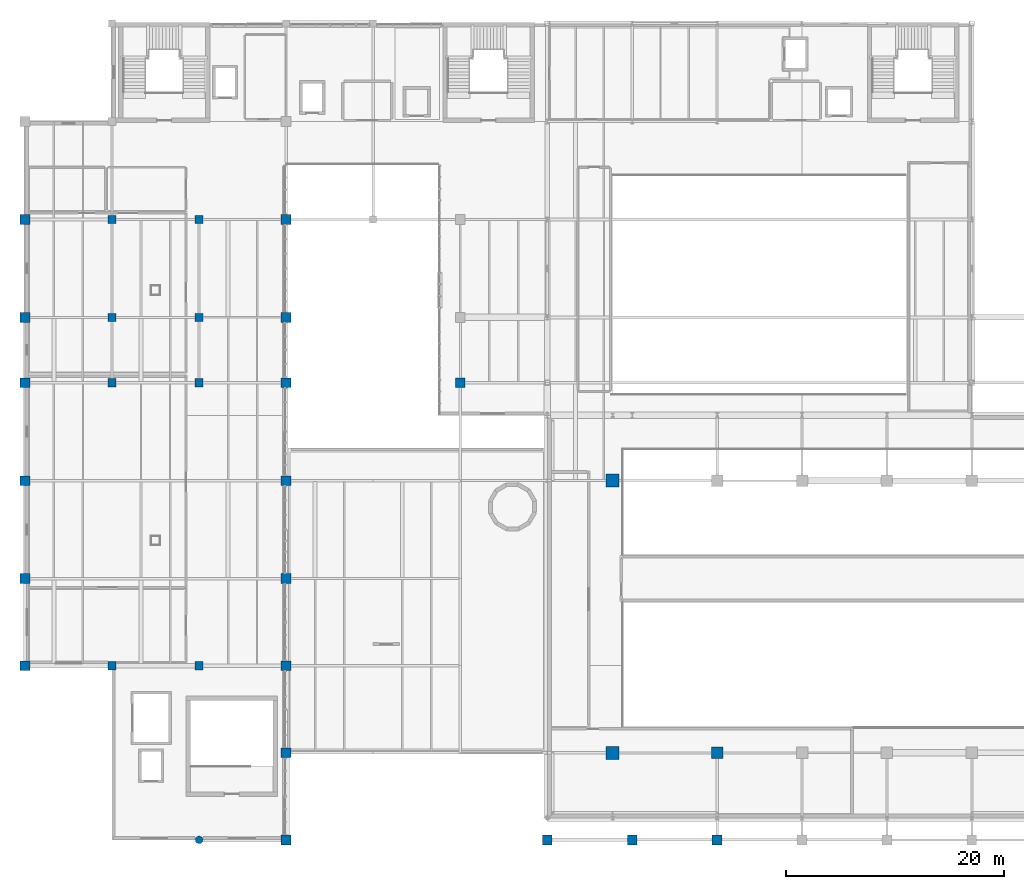
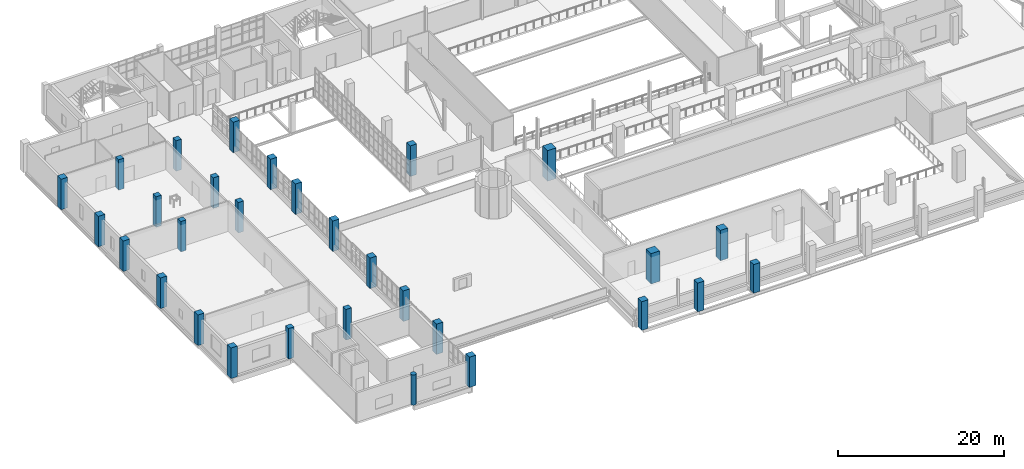
# One storey, part 1 of 85: 30 columns.
"""IFC4 building model written with IfcOpenShell, lengths in metres."""

import ifcopenshell
import ifcopenshell.guid

model = None  # the IFC model being written
_history = None  # IfcOwnerHistory: only IFC2X3 demands one
_inside = {}  # id of a spatial element -> (the spatial element, [elements in it])
_under = {}  # id of a project, library or spatial element -> (it, [spatial elements below it])
_declared = {}  # id of a project -> (the project, [libraries it declares])
_typed = {}  # id of a type object -> (the type object, [elements of that type])
_made_of = {}  # id of a material, layer set ... -> (it, [elements and type objects made of it])


def new_model(schema):
    """Start an empty IFC model of exactly this schema.

    Asked for "IFC4X3", IfcOpenShell would pick the latest addendum, in which some entities
    have other attributes; the version numbers below select the first issue.
    IFC2X3 requires an IfcOwnerHistory on every rooted entity: one is made here for all.
    """
    global model, _history
    if schema == "IFC4X3":
        model = ifcopenshell.file(schema_version=(4, 3, 0, 0))
    else:
        model = ifcopenshell.file(schema=schema)
    _inside.clear()
    _under.clear()
    _declared.clear()
    _typed.clear()
    _made_of.clear()
    _history = None
    if model.schema == "IFC2X3":
        org = make("IfcOrganization", Name="unknown")
        user = make(
            "IfcPersonAndOrganization",
            ThePerson=make("IfcPerson", FamilyName="unknown"),
            TheOrganization=org,
        )
        app = make(
            "IfcApplication",
            ApplicationDeveloper=org,
            Version="unknown",
            ApplicationFullName="unknown",
            ApplicationIdentifier="unknown",
        )
        _history = make(
            "IfcOwnerHistory",
            OwningUser=user,
            OwningApplication=app,
            ChangeAction="ADDED",
            CreationDate=0,
        )
    return model


def make(cls, **values):
    """One entity of the class cls with the attributes given. An attribute that is None is left unset."""
    return model.create_entity(
        cls, **{name: value for name, value in values.items() if value is not None}
    )


def rooted(cls, **values):
    """An entity with a GlobalId (a new one), such as an element, a storey or a relation."""
    return make(cls, GlobalId=ifcopenshell.guid.new(), OwnerHistory=_history, **values)


def si_unit(unit_type, name, prefix=None):
    """IfcSIUnit, for example si_unit("LENGTHUNIT", "METRE", prefix="MILLI")."""
    return make("IfcSIUnit", UnitType=unit_type, Prefix=prefix, Name=name)


def derived_unit(unit_type, elements):
    """IfcDerivedUnit: a product of units, each with its exponent."""
    return make(
        "IfcDerivedUnit",
        Elements=[
            make("IfcDerivedUnitElement", Unit=unit, Exponent=power)
            for unit, power in elements
        ],
        UnitType=unit_type,
    )


def assignment(units):
    """IfcUnitAssignment: the units of a project."""
    return None if units is None else make("IfcUnitAssignment", Units=units)


def point(xyz):
    """IfcCartesianPoint."""
    return None if xyz is None else make("IfcCartesianPoint", Coordinates=xyz)


def direction(xyz):
    """IfcDirection."""
    return None if xyz is None else make("IfcDirection", DirectionRatios=xyz)


def frame(location, z_axis=None, x_axis=None):
    """IfcAxis2Placement3D, a coordinate frame: its origin and axes. An axis left out is left unset."""
    return make(
        "IfcAxis2Placement3D",
        Location=point(location),
        Axis=direction(z_axis),
        RefDirection=direction(x_axis),
    )


def frame_2d(location, x_axis=None):
    """IfcAxis2Placement2D, a coordinate frame in the plane: its origin and x axis."""
    return make(
        "IfcAxis2Placement2D", Location=point(location), RefDirection=direction(x_axis)
    )


def origin():
    """The frame at (0, 0, 0) with its axes left unset."""
    return frame((0.0, 0.0, 0.0))


def origin_2d():
    """The frame at (0, 0) in the plane with its x axis left unset."""
    return frame_2d((0.0, 0.0))


def place(relative_to, where):
    """IfcLocalPlacement: puts the frame where relative to a parent placement (None: the world)."""
    return make(
        "IfcLocalPlacement", PlacementRelTo=relative_to, RelativePlacement=where
    )


def context(
    kind, dimensions, precision=None, world=None, true_north=None, identifier=None
):
    """IfcGeometricRepresentationContext, for example the 3D "Model" context."""
    return make(
        "IfcGeometricRepresentationContext",
        ContextIdentifier=identifier,
        ContextType=kind,
        CoordinateSpaceDimension=dimensions,
        Precision=precision,
        WorldCoordinateSystem=world,
        TrueNorth=true_north,
    )


def subcontext(parent, identifier, kind, view, scale=None):
    """IfcGeometricRepresentationSubContext, for example "Body" below "Model"."""
    return make(
        "IfcGeometricRepresentationSubContext",
        ContextIdentifier=identifier,
        ContextType=kind,
        ParentContext=parent,
        TargetScale=scale,
        TargetView=view,
    )


def project(units=None, contexts=None):
    """IfcProject with its units and contexts."""
    return rooted(
        "IfcProject",
        Name="project",
        RepresentationContexts=contexts,
        UnitsInContext=assignment(units),
    )


def spatial(cls, under=None, at=None, **own):
    """A site, building, storey or space (cls), placed at a placement, below another one or the project."""
    s = rooted(cls, ObjectPlacement=at, **own)
    if under is not None:
        _under.setdefault(under.id(), (under, []))[1].append(s)
    return s


def profile(cls, at=None, kind="AREA", **sizes):
    """A parametric profile (cls). Its sizes go by their IFC names, for example OverallWidth=200.0."""
    return make(cls, ProfileType=kind, Position=at, **sizes)


def rectangle(**sizes):
    """IfcRectangleProfileDef."""
    return profile("IfcRectangleProfileDef", **sizes)


def circle(**sizes):
    """IfcCircleProfileDef."""
    return profile("IfcCircleProfileDef", **sizes)


def extrude(swept, where, along, depth):
    """IfcExtrudedAreaSolid: the profile swept, set in the frame where, extruded along a direction by depth."""
    return make(
        "IfcExtrudedAreaSolid",
        SweptArea=swept,
        Position=where,
        ExtrudedDirection=direction(along),
        Depth=depth,
    )


def shape(context_of_items, identifier, shape_type, items):
    """IfcShapeRepresentation: the items that make up one representation, for example the "Body"."""
    return make(
        "IfcShapeRepresentation",
        ContextOfItems=context_of_items,
        RepresentationIdentifier=identifier,
        RepresentationType=shape_type,
        Items=items,
    )


def material(Name=None, Category=None):
    """IfcMaterial."""
    return make("IfcMaterial", Name=Name, Category=Category)


def material_profile(
    of_material, cross_section, Name=None, Category=None, Priority=None
):
    """IfcMaterialProfile: a cross section and its material."""
    return make(
        "IfcMaterialProfile",
        Name=Name,
        Material=of_material,
        Profile=cross_section,
        Priority=Priority,
        Category=Category,
    )


def profile_set(profiles, Name=None, composite=None):
    """IfcMaterialProfileSet."""
    return make(
        "IfcMaterialProfileSet",
        Name=Name,
        MaterialProfiles=profiles,
        CompositeProfile=composite,
    )


def made_of(thing, what):
    """Note that an element or type object is made of a material, layer set ...; save() writes the relation."""
    if what is not None:
        _made_of.setdefault(what.id(), (what, []))[1].append(thing)
    return thing


def type_object(cls, material=None, **own):
    """A type object (cls), such as IfcWallType, which elements share."""
    return made_of(rooted(cls, **own), material)


def element(
    cls,
    number,
    at=None,
    inside=None,
    cuts=None,
    type_object=None,
    material=None,
    context=None,
    identifier="Body",
    shape_type=None,
    held_by="IfcProductDefinitionShape",
    body=None,
    shapes=None,
    **own,
):
    """One element of the class cls, such as IfcWall. Its Tag is "e" and its number.

    at: its placement. inside: the storey or other place that contains it. cuts: it is an
    opening in that element (IfcRelVoidsElement). A single representation is given by context,
    identifier, shape_type and body (its items); several are given by shapes. held_by: the class
    of the entity that holds the representations. save() writes the other relations.
    """
    e = rooted(cls, Tag="e%d" % number, ObjectPlacement=at, **own)
    if body is not None:
        shapes = [shape(context, identifier, shape_type, body)]
    if shapes is not None:
        e.Representation = make(held_by, Representations=shapes)
    if inside is not None:
        _inside.setdefault(inside.id(), (inside, []))[1].append(e)
    if cuts is not None:
        rooted(
            "IfcRelVoidsElement", RelatingBuildingElement=cuts, RelatedOpeningElement=e
        )
    if type_object is not None:
        _typed.setdefault(type_object.id(), (type_object, []))[1].append(e)
    return made_of(e, material)


def aggregate(whole, parts):
    """IfcRelAggregates: a whole, such as a stair, and the parts it consists of."""
    return rooted("IfcRelAggregates", RelatingObject=whole, RelatedObjects=parts)


def save(model, path):
    """Write the relations noted so far, then the file.

    IfcRelAggregates (storeys below a building ...), IfcRelContainedInSpatialStructure (elements
    in a storey), IfcRelDefinesByType, IfcRelAssociatesMaterial and IfcRelDeclares: one each for
    every whole, place, type object, material and project.
    """
    for whole, parts in _under.values():
        aggregate(whole, parts)
    for where, things in _inside.values():
        rooted(
            "IfcRelContainedInSpatialStructure",
            RelatedElements=things,
            RelatingStructure=where,
        )
    for kind, things in _typed.values():
        rooted("IfcRelDefinesByType", RelatedObjects=things, RelatingType=kind)
    for what, things in _made_of.values():
        rooted("IfcRelAssociatesMaterial", RelatedObjects=things, RelatingMaterial=what)
    for by, libraries in _declared.values():
        rooted("IfcRelDeclares", RelatingContext=by, RelatedDefinitions=libraries)
    model.write(path)


model = new_model("IFC4")

# Units and contexts
model_context = context("Model", 3, precision=1e-05, world=origin(), true_north=direction((0.0, 1.0)))
body_context = subcontext(model_context, "Body", "Model", "MODEL_VIEW")
ifc_project = project(units=[si_unit("LENGTHUNIT", "METRE"), si_unit("AREAUNIT", "SQUARE_METRE"), si_unit("VOLUMEUNIT", "CUBIC_METRE"), si_unit("PLANEANGLEUNIT", "RADIAN"), si_unit("MASSUNIT", "GRAM", prefix="KILO"), derived_unit("THERMALTRANSMITTANCEUNIT", [(si_unit("POWERUNIT", "WATT"), 1), (si_unit("LENGTHUNIT", "METRE"), -2), (si_unit("THERMODYNAMICTEMPERATUREUNIT", "KELVIN"), -1)])], contexts=[model_context])

# Site, building, storey
site_placement = place(None, origin())
site = spatial("IfcSite", under=ifc_project, at=site_placement, CompositionType="ELEMENT")
building_placement = place(site_placement, origin())
building = spatial("IfcBuilding", under=site, at=building_placement, Name="Nallur Shell Playhouse", CompositionType="ELEMENT")
storey_placement = place(building_placement, frame((0.0, 0.0, 19.800048828125)))
storey = spatial("IfcBuildingStorey", under=building, at=storey_placement, Name="L05", CompositionType="ELEMENT", Elevation=19.800048828125)

# Columns
ifc_material_1 = material(Name="Concrete M45", Category="concrete")
ifc_material_profile_1 = material_profile(ifc_material_1, rectangle(XDim=1.050048828125, YDim=1.050048828125, at=origin_2d()), Name="RC 1050x1050")
ifc_profile_set_1 = profile_set([ifc_material_profile_1], Name="Concrete M45")
column_type_1 = type_object("IfcColumnType", Name="CL-RC-1050", PredefinedType="COLUMN", material=ifc_profile_set_1)
column_1_placement = place(storey_placement, frame((79.60009765625, 16.0, 0.0), z_axis=(0.0, 0.0, 1.0), x_axis=(1.0, 0.0, 0.0)))
element("IfcColumn", 1, at=column_1_placement, inside=storey, type_object=column_type_1, Name="Column MC2S (L05)", PredefinedType="COLUMN", context=body_context, shape_type="SweptSolid", body=[
    extrude(rectangle(XDim=1.050048828125, YDim=1.050048828125, at=origin_2d()), origin(), (0.0, 0.0, 1.0), 4.5),
])
ifc_material_profile_2 = material_profile(ifc_material_1, rectangle(XDim=1.199951171875, YDim=1.199951171875, at=origin_2d()), Name="RC 1200x1200")
ifc_profile_set_2 = profile_set([ifc_material_profile_2], Name="Concrete M45")
column_type_2 = type_object("IfcColumnType", Name="CL-RC-1200", PredefinedType="COLUMN", material=ifc_profile_set_2)
for number, where, z_axis, x_axis, name in (
    (2, (70.0, 16.0, 0.0), (0.0, 0.0, 1.0), (1.0, 0.0, 0.0), "Column MC1S (L05)"),
    (3, (70.0, 41.0, 0.0), (0.0, 0.0, 1.0), (1.0, 0.0, 0.0), "Column MC1N (L05)"),
):
    element("IfcColumn", number, at=place(storey_placement, frame(where, z_axis=z_axis, x_axis=x_axis)), inside=storey, type_object=column_type_2, Name=name, PredefinedType="COLUMN", context=body_context, shape_type="SweptSolid", body=[
        extrude(rectangle(XDim=1.199951171875, YDim=1.199951171875, at=origin_2d()), origin(), (0.0, 0.0, 1.0), 4.5),
    ])
ifc_material_2 = material(Name="Concrete M40", Category="concrete")
ifc_material_profile_3 = material_profile(ifc_material_2, rectangle(XDim=0.75, YDim=0.75, at=origin_2d()), Name="RC 750x750")
ifc_profile_set_3 = profile_set([ifc_material_profile_3], Name="Concrete M40")
column_type_3 = type_object("IfcColumnType", Name="CL-RC-750", PredefinedType="COLUMN", material=ifc_profile_set_3)
for number, where, z_axis, x_axis, name in (
    (4, (24.0, 24.0, 0.0), (0.0, 0.0, 1.0), (1.0, 0.0, 0.0), "Column 3-C (L05)"),
    (5, (24.0, 50.0, 0.0), (0.0, 0.0, 1.0), (1.0, 0.0, 0.0), "Column 3-F (L05)"),
    (6, (24.0, 56.0, 0.0), (0.0, 0.0, 1.0), (1.0, 0.0, 0.0), "Column 3-G (L05)"),
    (7, (24.0, 65.0, 0.0), (0.0, 0.0, 1.0), (1.0, 0.0, 0.0), "Column 3-H (L05)"),
    (8, (32.0, 24.0, 0.0), (0.0, 0.0, 1.0), (1.0, 0.0, 0.0), "Column 4-C (L05)"),
    (9, (32.0, 50.0, 0.0), (0.0, 0.0, 1.0), (1.0, 0.0, 0.0), "Column 4-F (L05)"),
    (10, (32.0, 56.0, 0.0), (0.0, 0.0, 1.0), (1.0, 0.0, 0.0), "Column 4-G (L05)"),
    (11, (32.0, 65.0, 0.0), (0.0, 0.0, 1.0), (1.0, 0.0, 0.0), "Column 4-H (L05)"),
):
    element("IfcColumn", number, at=place(storey_placement, frame(where, z_axis=z_axis, x_axis=x_axis)), inside=storey, type_object=column_type_3, Name=name, PredefinedType="COLUMN", context=body_context, shape_type="SweptSolid", body=[
        extrude(rectangle(XDim=0.75, YDim=0.75, at=origin_2d()), origin(), (0.0, 0.0, 1.0), 4.5),
    ])
ifc_material_profile_4 = material_profile(ifc_material_2, rectangle(XDim=0.89990234375, YDim=0.89990234375, at=origin_2d()), Name="RC 900x900")
ifc_profile_set_4 = profile_set([ifc_material_profile_4], Name="Concrete M40")
column_type_4 = type_object("IfcColumnType", Name="CL-RC-900", PredefinedType="COLUMN", material=ifc_profile_set_4)
for number, where, z_axis, x_axis, name in (
    (12, (16.0, 24.0, 0.0), (0.0, 0.0, 1.0), (1.0, 0.0, 0.0), "Column 2-C (L05)"),
    (13, (16.0, 32.0, 0.0), (0.0, 0.0, 1.0), (1.0, 0.0, 0.0), "Column 2-D (L05)"),
    (14, (16.0, 41.0, 0.0), (0.0, 0.0, 1.0), (1.0, 0.0, 0.0), "Column 2-E (L05)"),
    (15, (16.0, 50.0, 0.0), (0.0, 0.0, 1.0), (1.0, 0.0, 0.0), "Column 2-F (L05)"),
    (16, (16.0, 56.0, 0.0), (0.0, 0.0, 1.0), (1.0, 0.0, 0.0), "Column 2-G (L05)"),
    (17, (16.0, 65.0, 0.0), (0.0, 0.0, 1.0), (1.0, 0.0, 0.0), "Column 2-H (L05)"),
):
    element("IfcColumn", number, at=place(storey_placement, frame(where, z_axis=z_axis, x_axis=x_axis)), inside=storey, type_object=column_type_4, Name=name, PredefinedType="COLUMN", context=body_context, shape_type="SweptSolid", body=[
        extrude(rectangle(XDim=0.89990234375, YDim=0.89990234375, at=origin_2d()), origin(), (0.0, 0.0, 1.0), 4.5),
    ])
for number, where, z_axis, x_axis, name in (
    (18, (40.0, 8.0, 0.0), (0.0, 0.0, 1.0), (1.0, 0.0, 0.0), "Column 5-A (L05)"),
    (19, (40.0, 16.0, 0.0), (0.0, 0.0, 1.0), (1.0, 0.0, 0.0), "Column 5-B (L05)"),
):
    element("IfcColumn", number, at=place(storey_placement, frame(where, z_axis=z_axis, x_axis=x_axis)), inside=storey, type_object=column_type_4, Name=name, PredefinedType="COLUMN", context=body_context, shape_type="SweptSolid", body=[
        extrude(rectangle(XDim=0.89990234375, YDim=0.89990234375, at=origin_2d()), origin(), (0.0, 0.0, 1.0), 4.4599609375),
    ])
for number, where, z_axis, x_axis, name in (
    (20, (40.0, 24.0, 0.0), (0.0, 0.0, 1.0), (1.0, 0.0, 0.0), "Column 5-C (L05)"),
    (21, (40.0, 32.0, 0.0), (0.0, 0.0, 1.0), (1.0, 0.0, 0.0), "Column 5-D (L05)"),
    (22, (40.0, 41.0, 0.0), (0.0, 0.0, 1.0), (1.0, 0.0, 0.0), "Column 5-E (L05)"),
    (23, (40.0, 50.0, 0.0), (0.0, 0.0, 1.0), (1.0, 0.0, 0.0), "Column 5-F (L05)"),
    (24, (40.0, 56.0, 0.0), (0.0, 0.0, 1.0), (1.0, 0.0, 0.0), "Column 5-G (L05)"),
    (25, (40.0, 65.0, 0.0), (0.0, 0.0, 1.0), (1.0, 0.0, 0.0), "Column 5-H (L05)"),
    (26, (56.0, 50.0, 0.0), (0.0, 0.0, 1.0), (1.0, 0.0, 0.0), "Column 7-F (L05)"),
):
    element("IfcColumn", number, at=place(storey_placement, frame(where, z_axis=z_axis, x_axis=x_axis)), inside=storey, type_object=column_type_4, Name=name, PredefinedType="COLUMN", context=body_context, shape_type="SweptSolid", body=[
        extrude(rectangle(XDim=0.89990234375, YDim=0.89990234375, at=origin_2d()), origin(), (0.0, 0.0, 1.0), 4.5),
    ])
for number, where, z_axis, x_axis, name in (
    (27, (64.0, 8.0, 0.0), (0.0, 0.0, 1.0), (1.0, 0.0, 0.0), "Column 8-A (L05)"),
    (28, (71.800048828125, 8.0, 0.0), (0.0, 0.0, 1.0), (1.0, 0.0, 0.0), "Column 9-A (L05)"),
    (29, (79.60009765625, 8.0, 0.0), (0.0, 0.0, 1.0), (1.0, 0.0, 0.0), "Column 10-A (L05)"),
):
    element("IfcColumn", number, at=place(storey_placement, frame(where, z_axis=z_axis, x_axis=x_axis)), inside=storey, type_object=column_type_4, Name=name, PredefinedType="COLUMN", context=body_context, shape_type="SweptSolid", body=[
        extrude(rectangle(XDim=0.89990234375, YDim=0.89990234375, at=origin_2d()), origin(), (0.0, 0.0, 1.0), 4.22998046875),
    ])
ifc_material_profile_5 = material_profile(ifc_material_2, circle(Radius=0.35009765625, at=origin_2d()), Name="RC D700")
ifc_profile_set_5 = profile_set([ifc_material_profile_5], Name="Concrete M40")
column_type_5 = type_object("IfcColumnType", Name="CL-RCD-700", PredefinedType="COLUMN", material=ifc_profile_set_5)
column_2_placement = place(storey_placement, frame((32.0, 8.0, 0.0), z_axis=(0.0, 0.0, 1.0), x_axis=(1.0, 0.0, 0.0)))
element("IfcColumn", 30, at=column_2_placement, inside=storey, type_object=column_type_5, Name="Column 4-A (L05)", PredefinedType="COLUMN", context=body_context, shape_type="SweptSolid", body=[
    extrude(circle(Radius=0.35009765625, at=origin_2d()), origin(), (0.0, 0.0, 1.0), 4.4599609375),
])

save(model, "model.ifc")
